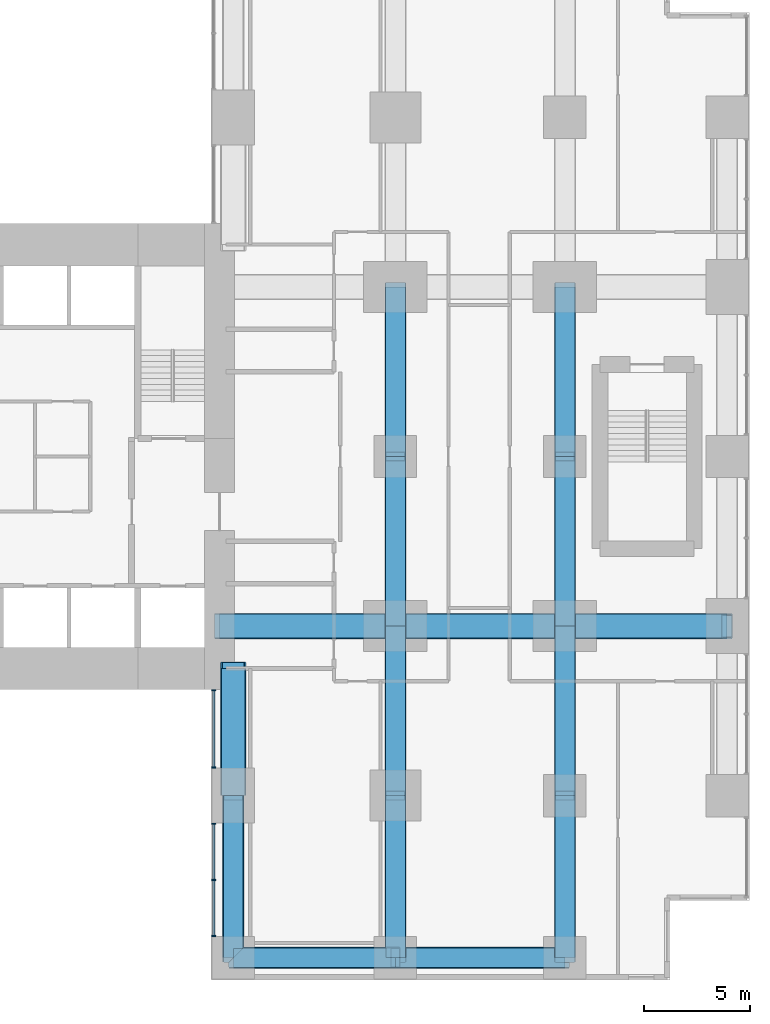
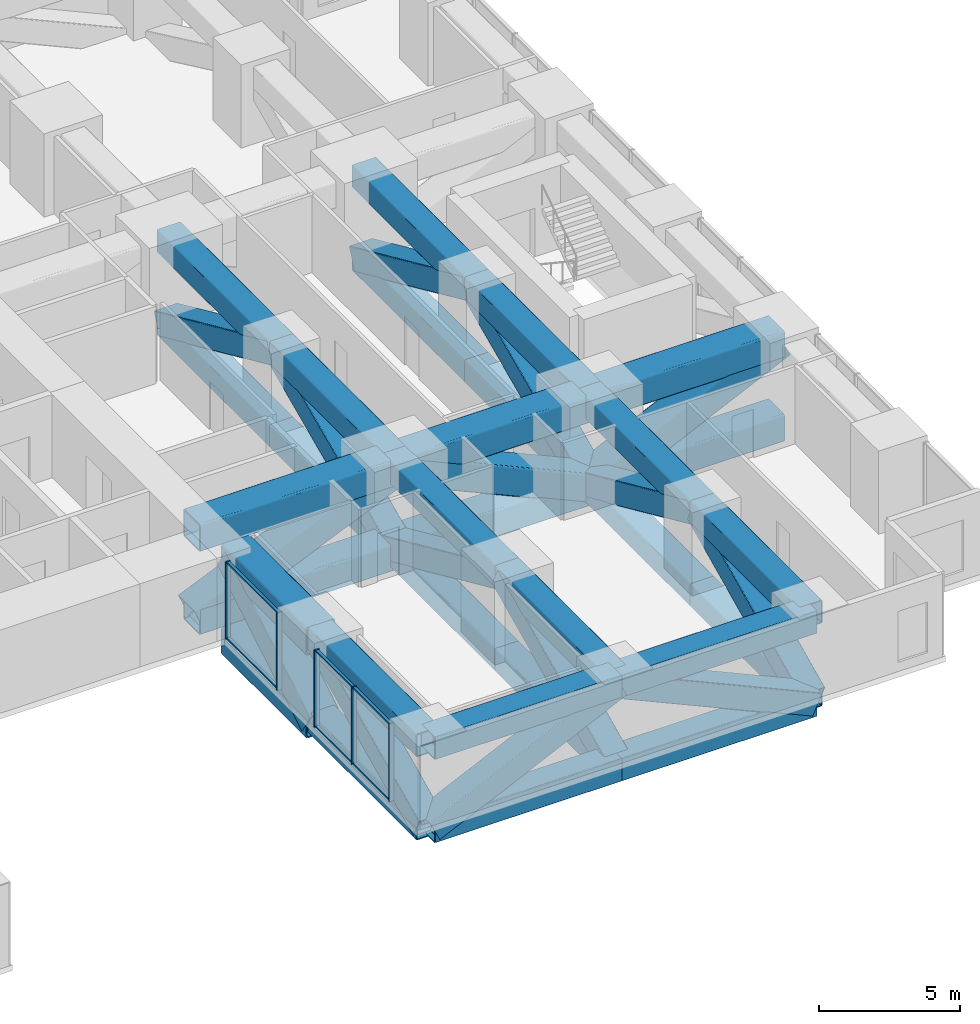
# One storey, part 4 of 15: 56 members, 2 elements without a shape of their own.
"""IFC4 building model written with IfcOpenShell, lengths in metres."""

from ifc_helpers import new_model, si_unit, direction, frame, origin, origin_2d, place, context, subcontext, project, spatial, rectangle, hollow_rectangle, extrude, material, layer, layer_set, material_profile, profile_set, type_object, element, aggregate, save


model = new_model("IFC4")

# Units and contexts
model_context = context("Model", 3, precision=1e-05, world=origin(), true_north=direction((0.0, 1.0)))
body_context = subcontext(model_context, "Body", "Model", "MODEL_VIEW")
ifc_project = project(units=[si_unit("LENGTHUNIT", "METRE"), si_unit("AREAUNIT", "SQUARE_METRE"), si_unit("VOLUMEUNIT", "CUBIC_METRE"), si_unit("PLANEANGLEUNIT", "RADIAN"), si_unit("MASSUNIT", "GRAM", prefix="KILO")], contexts=[model_context])

# Site, building, storey
site_placement = place(None, origin())
site = spatial("IfcSite", under=ifc_project, at=site_placement, CompositionType="ELEMENT")
building_placement = place(site_placement, origin())
building = spatial("IfcBuilding", under=site, at=building_placement, Name="Cleftline Residences", CompositionType="ELEMENT")
storey_placement = place(building_placement, frame((0.0, 0.0, 132.199951171875)))
storey = spatial("IfcBuildingStorey", under=building, at=storey_placement, Name="L34", CompositionType="ELEMENT", Elevation=132.199951171875)

# Members
ifc_material_1 = material(Name="Steel S355", Category="steel")
ifc_material_profile_1 = material_profile(ifc_material_1, hollow_rectangle(XDim=1.0, YDim=1.0, WallThickness=0.0400390625, InnerFilletRadius=0.0400390625, OuterFilletRadius=0.06005859375, at=origin_2d()))
ifc_profile_set_1 = profile_set([ifc_material_profile_1], Name="Steel S355")
member_type_1 = type_object("IfcMemberType", Name="BRACE BOX 1000X1000X40", PredefinedType="BRACE", material=ifc_profile_set_1)
for number, where, z_axis, x_axis, name in (
    (1, (42.35009765625, 0.35009765625, -0.75), (0.0, 0.904812157874, 0.425810942746), (0.0, -0.425810942746, 0.904812157874), "Belt truss diagonal"),
    (2, (50.0, 0.35009765625, -0.75), (0.0, 0.904812157874, 0.425810942746), (0.0, -0.425810942746, 0.904812157874), "Belt truss diagonal"),
):
    element("IfcMember", number, at=place(storey_placement, frame(where, z_axis=z_axis, x_axis=x_axis)), inside=storey, type_object=member_type_1, Name=name, PredefinedType="BRACE", context=body_context, shape_type="SweptSolid", body=[
        extrude(hollow_rectangle(XDim=1.0, YDim=1.0, WallThickness=0.0400390625, InnerFilletRadius=0.0400390625, OuterFilletRadius=0.06005859375, at=origin_2d()), origin(), (0.0, 0.0, 1.0), 8.45458984375),
    ])
for number, where, z_axis, x_axis, name in (
    (3, (50.0, 8.0, 2.85009765625), (0.0, 0.91191733938, -0.410373934525), (0.0, 0.410373934525, 0.91191733938), "Belt truss diagonal"),
    (4, (50.0, 16.0, -0.75), (0.0, 0.91191733938, 0.410373934525), (0.0, -0.410373934525, 0.91191733938), "Belt truss diagonal"),
    (5, (50.0, 24.0, 2.85009765625), (0.0, 0.91191733938, -0.410373934525), (0.0, 0.410373934525, 0.91191733938), "Belt truss diagonal"),
):
    element("IfcMember", number, at=place(storey_placement, frame(where, z_axis=z_axis, x_axis=x_axis)), inside=storey, type_object=member_type_1, Name=name, PredefinedType="BRACE", context=body_context, shape_type="SweptSolid", body=[
        extrude(hollow_rectangle(XDim=1.0, YDim=1.0, WallThickness=0.0400390625, InnerFilletRadius=0.0400390625, OuterFilletRadius=0.06005859375, at=origin_2d()), origin(), (0.0, 0.0, 1.0), 8.772705078125),
    ])
member_1_placement = place(storey_placement, frame((58.0, 0.35009765625, -0.75), z_axis=(0.0, 0.904812157874, 0.425810942746), x_axis=(0.0, -0.425810942746, 0.904812157874)))
element("IfcMember", 6, at=member_1_placement, inside=storey, type_object=member_type_1, Name="Belt truss diagonal", PredefinedType="BRACE", context=body_context, shape_type="SweptSolid", body=[
    extrude(hollow_rectangle(XDim=1.0, YDim=1.0, WallThickness=0.0400390625, InnerFilletRadius=0.0400390625, OuterFilletRadius=0.06005859375, at=origin_2d()), origin(), (0.0, 0.0, 1.0), 8.45458984375),
])
for number, where, z_axis, x_axis, name in (
    (7, (58.0, 8.0, 2.85009765625), (0.0, 0.91191733938, -0.410373934525), (0.0, 0.410373934525, 0.91191733938), "Belt truss diagonal"),
    (8, (58.0, 16.0, -0.75), (0.0, 0.91191733938, 0.410373934525), (0.0, -0.410373934525, 0.91191733938), "Belt truss diagonal"),
    (9, (58.0, 24.0, 2.85009765625), (0.0, 0.91191733938, -0.410373934525), (0.0, 0.410373934525, 0.91191733938), "Belt truss diagonal"),
):
    element("IfcMember", number, at=place(storey_placement, frame(where, z_axis=z_axis, x_axis=x_axis)), inside=storey, type_object=member_type_1, Name=name, PredefinedType="BRACE", context=body_context, shape_type="SweptSolid", body=[
        extrude(hollow_rectangle(XDim=1.0, YDim=1.0, WallThickness=0.0400390625, InnerFilletRadius=0.0400390625, OuterFilletRadius=0.06005859375, at=origin_2d()), origin(), (0.0, 0.0, 1.0), 8.772705078125),
    ])
member_2_placement = place(storey_placement, frame((42.35009765625, 0.35009765625, -0.75), z_axis=(0.904812157874, 0.0, 0.425810942746), x_axis=(-0.425810942746, 0.0, 0.904812157874)))
element("IfcMember", 10, at=member_2_placement, inside=storey, type_object=member_type_1, Name="Belt truss diagonal", PredefinedType="BRACE", context=body_context, shape_type="SweptSolid", body=[
    extrude(hollow_rectangle(XDim=1.0, YDim=1.0, WallThickness=0.0400390625, InnerFilletRadius=0.0400390625, OuterFilletRadius=0.06005859375, at=origin_2d()), origin(), (0.0, 0.0, 1.0), 8.45458984375),
])
member_3_placement = place(storey_placement, frame((50.0, 0.35009765625, 2.85009765625), z_axis=(0.91191733938, 0.0, -0.410373934525), x_axis=(0.410373934525, 0.0, 0.91191733938)))
element("IfcMember", 11, at=member_3_placement, inside=storey, type_object=member_type_1, Name="Belt truss diagonal", PredefinedType="BRACE", context=body_context, shape_type="SweptSolid", body=[
    extrude(hollow_rectangle(XDim=1.0, YDim=1.0, WallThickness=0.0400390625, InnerFilletRadius=0.0400390625, OuterFilletRadius=0.06005859375, at=origin_2d()), origin(), (0.0, 0.0, 1.0), 8.772705078125),
])
ifc_material_2 = material(Name="Steel S355", Category="steel")
ifc_material_profile_2 = material_profile(ifc_material_2, hollow_rectangle(XDim=1.199951171875, YDim=1.199951171875, WallThickness=0.06005859375, InnerFilletRadius=0.06005859375, OuterFilletRadius=0.090087890625, at=origin_2d()))
ifc_profile_set_2 = profile_set([ifc_material_profile_2], Name="Steel S355")
member_type_2 = type_object("IfcMemberType", Name="BRACE BOX 1200X1200X60", PredefinedType="BRACE", material=ifc_profile_set_2)
member_4_placement = place(storey_placement, frame((41.699951171875, 16.0, -0.849853515625), z_axis=(0.917427920438, 0.0, 0.397902011556), x_axis=(-0.397902011556, 0.0, 0.917427920438)))
element("IfcMember", 12, at=member_4_placement, inside=storey, type_object=member_type_2, Name="Outrigger truss diagonal", PredefinedType="BRACE", context=body_context, shape_type="SweptSolid", body=[
    extrude(hollow_rectangle(XDim=1.199951171875, YDim=1.199951171875, WallThickness=0.06005859375, InnerFilletRadius=0.06005859375, OuterFilletRadius=0.090087890625, at=origin_2d()), origin(), (0.0, 0.0, 1.0), 9.047119140625),
])
member_5_placement = place(storey_placement, frame((50.0, 16.0, 2.75), z_axis=(0.911927753762, 0.0, -0.410350791297), x_axis=(0.410350791297, 0.0, 0.911927753762)))
element("IfcMember", 13, at=member_5_placement, inside=storey, type_object=member_type_2, Name="Outrigger truss diagonal", PredefinedType="BRACE", context=body_context, shape_type="SweptSolid", body=[
    extrude(hollow_rectangle(XDim=1.199951171875, YDim=1.199951171875, WallThickness=0.06005859375, InnerFilletRadius=0.06005859375, OuterFilletRadius=0.090087890625, at=origin_2d()), origin(), (0.0, 0.0, 1.0), 8.772705078125),
])
member_6_placement = place(storey_placement, frame((58.0, 16.0, -0.849853515625), z_axis=(0.904823283159, 0.0, 0.425787301659), x_axis=(-0.425787301659, 0.0, 0.904823283159)))
element("IfcMember", 14, at=member_6_placement, inside=storey, type_object=member_type_2, Name="Outrigger truss diagonal", PredefinedType="BRACE", context=body_context, shape_type="SweptSolid", body=[
    extrude(hollow_rectangle(XDim=1.199951171875, YDim=1.199951171875, WallThickness=0.06005859375, InnerFilletRadius=0.06005859375, OuterFilletRadius=0.090087890625, at=origin_2d()), origin(), (0.0, 0.0, 1.0), 8.45458984375),
])
member_7_placement = place(storey_placement, frame((42.35009765625, 8.0, -0.849853515625), z_axis=(0.0, 0.857502161653, 0.51448036188), x_axis=(0.0, -0.51448036188, 0.857502161653)))
element("IfcMember", 15, at=member_7_placement, inside=storey, type_object=member_type_2, Name="Outrigger truss diagonal", PredefinedType="BRACE", context=body_context, shape_type="SweptSolid", body=[
    extrude(hollow_rectangle(XDim=1.199951171875, YDim=1.199951171875, WallThickness=0.06005859375, InnerFilletRadius=0.06005859375, OuterFilletRadius=0.090087890625, at=origin_2d()), origin(), (0.0, 0.0, 1.0), 6.9970703125),
])
ifc_material_3 = material(Name="Steel S355", Category="steel")
ifc_material_profile_3 = material_profile(ifc_material_3, hollow_rectangle(XDim=1.0, YDim=1.0, WallThickness=0.0400390625, InnerFilletRadius=0.0400390625, OuterFilletRadius=0.06005859375, at=origin_2d()))
ifc_profile_set_3 = profile_set([ifc_material_profile_3], Name="Steel S355")
member_type_3 = type_object("IfcMemberType", Name="CHORD BOX 1000X1000X40", PredefinedType="CHORD", material=ifc_profile_set_3)
for number, where, z_axis, x_axis, name in (
    (16, (42.35009765625, 0.35009765625, -0.75), (0.0, 1.0, 0.0), (-1.0, 0.0, 0.0), "Belt truss bottom chord"),
    (17, (42.35009765625, 0.35009765625, 2.85009765625), (0.0, 1.0, 0.0), (-1.0, 0.0, 0.0), "Belt truss top chord"),
    (18, (50.0, 0.35009765625, -0.75), (0.0, 1.0, 0.0), (-1.0, 0.0, 0.0), "Belt truss bottom chord"),
    (19, (50.0, 0.35009765625, 2.85009765625), (0.0, 1.0, 0.0), (-1.0, 0.0, 0.0), "Belt truss top chord"),
):
    element("IfcMember", number, at=place(storey_placement, frame(where, z_axis=z_axis, x_axis=x_axis)), inside=storey, type_object=member_type_3, Name=name, PredefinedType="CHORD", context=body_context, shape_type="SweptSolid", body=[
        extrude(hollow_rectangle(XDim=1.0, YDim=1.0, WallThickness=0.0400390625, InnerFilletRadius=0.0400390625, OuterFilletRadius=0.06005859375, at=origin_2d()), origin(), (0.0, 0.0, 1.0), 7.64990234375),
    ])
for number, where, z_axis, x_axis, name in (
    (20, (50.0, 8.0, -0.75), (0.0, 1.0, 0.0), (-1.0, 0.0, 0.0), "Belt truss bottom chord"),
    (21, (50.0, 8.0, 2.85009765625), (0.0, 1.0, 0.0), (-1.0, 0.0, 0.0), "Belt truss top chord"),
    (22, (50.0, 16.0, -0.75), (0.0, 1.0, 0.0), (-1.0, 0.0, 0.0), "Belt truss bottom chord"),
    (23, (50.0, 16.0, 2.85009765625), (0.0, 1.0, 0.0), (-1.0, 0.0, 0.0), "Belt truss top chord"),
    (24, (50.0, 24.0, -0.75), (0.0, 1.0, 0.0), (-1.0, 0.0, 0.0), "Belt truss bottom chord"),
    (25, (50.0, 24.0, 2.85009765625), (0.0, 1.0, 0.0), (-1.0, 0.0, 0.0), "Belt truss top chord"),
):
    element("IfcMember", number, at=place(storey_placement, frame(where, z_axis=z_axis, x_axis=x_axis)), inside=storey, type_object=member_type_3, Name=name, PredefinedType="CHORD", context=body_context, shape_type="SweptSolid", body=[
        extrude(hollow_rectangle(XDim=1.0, YDim=1.0, WallThickness=0.0400390625, InnerFilletRadius=0.0400390625, OuterFilletRadius=0.06005859375, at=origin_2d()), origin(), (0.0, 0.0, 1.0), 8.0),
    ])
for number, where, z_axis, x_axis, name in (
    (26, (58.0, 0.35009765625, -0.75), (0.0, 1.0, 0.0), (-1.0, 0.0, 0.0), "Belt truss bottom chord"),
    (27, (58.0, 0.35009765625, 2.85009765625), (0.0, 1.0, 0.0), (-1.0, 0.0, 0.0), "Belt truss top chord"),
):
    element("IfcMember", number, at=place(storey_placement, frame(where, z_axis=z_axis, x_axis=x_axis)), inside=storey, type_object=member_type_3, Name=name, PredefinedType="CHORD", context=body_context, shape_type="SweptSolid", body=[
        extrude(hollow_rectangle(XDim=1.0, YDim=1.0, WallThickness=0.0400390625, InnerFilletRadius=0.0400390625, OuterFilletRadius=0.06005859375, at=origin_2d()), origin(), (0.0, 0.0, 1.0), 7.64990234375),
    ])
for number, where, z_axis, x_axis, name in (
    (28, (58.0, 8.0, -0.75), (0.0, 1.0, 0.0), (-1.0, 0.0, 0.0), "Belt truss bottom chord"),
    (29, (58.0, 8.0, 2.85009765625), (0.0, 1.0, 0.0), (-1.0, 0.0, 0.0), "Belt truss top chord"),
    (30, (58.0, 16.0, -0.75), (0.0, 1.0, 0.0), (-1.0, 0.0, 0.0), "Belt truss bottom chord"),
    (31, (58.0, 16.0, 2.85009765625), (0.0, 1.0, 0.0), (-1.0, 0.0, 0.0), "Belt truss top chord"),
    (32, (58.0, 24.0, -0.75), (0.0, 1.0, 0.0), (-1.0, 0.0, 0.0), "Belt truss bottom chord"),
    (33, (58.0, 24.0, 2.85009765625), (0.0, 1.0, 0.0), (-1.0, 0.0, 0.0), "Belt truss top chord"),
):
    element("IfcMember", number, at=place(storey_placement, frame(where, z_axis=z_axis, x_axis=x_axis)), inside=storey, type_object=member_type_3, Name=name, PredefinedType="CHORD", context=body_context, shape_type="SweptSolid", body=[
        extrude(hollow_rectangle(XDim=1.0, YDim=1.0, WallThickness=0.0400390625, InnerFilletRadius=0.0400390625, OuterFilletRadius=0.06005859375, at=origin_2d()), origin(), (0.0, 0.0, 1.0), 8.0),
    ])
for number, where, z_axis, x_axis, name in (
    (34, (42.35009765625, 0.35009765625, -0.75), (1.0, 0.0, 0.0), (0.0, 1.0, 0.0), "Belt truss bottom chord"),
    (35, (42.35009765625, 0.35009765625, 2.85009765625), (1.0, 0.0, 0.0), (0.0, 1.0, 0.0), "Belt truss top chord"),
):
    element("IfcMember", number, at=place(storey_placement, frame(where, z_axis=z_axis, x_axis=x_axis)), inside=storey, type_object=member_type_3, Name=name, PredefinedType="CHORD", context=body_context, shape_type="SweptSolid", body=[
        extrude(hollow_rectangle(XDim=1.0, YDim=1.0, WallThickness=0.0400390625, InnerFilletRadius=0.0400390625, OuterFilletRadius=0.06005859375, at=origin_2d()), origin(), (0.0, 0.0, 1.0), 7.64990234375),
    ])
for number, where, z_axis, x_axis, name in (
    (36, (50.0, 0.35009765625, -0.75), (1.0, 0.0, 0.0), (0.0, 1.0, 0.0), "Belt truss bottom chord"),
    (37, (50.0, 0.35009765625, 2.85009765625), (1.0, 0.0, 0.0), (0.0, 1.0, 0.0), "Belt truss top chord"),
):
    element("IfcMember", number, at=place(storey_placement, frame(where, z_axis=z_axis, x_axis=x_axis)), inside=storey, type_object=member_type_3, Name=name, PredefinedType="CHORD", context=body_context, shape_type="SweptSolid", body=[
        extrude(hollow_rectangle(XDim=1.0, YDim=1.0, WallThickness=0.0400390625, InnerFilletRadius=0.0400390625, OuterFilletRadius=0.06005859375, at=origin_2d()), origin(), (0.0, 0.0, 1.0), 8.0),
    ])
ifc_material_4 = material(Name="Steel S355", Category="steel")
ifc_material_profile_4 = material_profile(ifc_material_4, hollow_rectangle(XDim=1.199951171875, YDim=1.199951171875, WallThickness=0.06005859375, InnerFilletRadius=0.06005859375, OuterFilletRadius=0.090087890625, at=origin_2d()))
ifc_profile_set_4 = profile_set([ifc_material_profile_4], Name="Steel S355")
member_type_4 = type_object("IfcMemberType", Name="CHORD BOX 1200X1200X60", PredefinedType="CHORD", material=ifc_profile_set_4)
for number, where, z_axis, x_axis, name in (
    (38, (41.699951171875, 16.0, -0.849853515625), (1.0, 0.0, 0.0), (0.0, 1.0, 0.0), "Outrigger truss bottom chord"),
    (39, (41.699951171875, 16.0, 2.75), (1.0, 0.0, 0.0), (0.0, 1.0, 0.0), "Outrigger truss top chord"),
):
    element("IfcMember", number, at=place(storey_placement, frame(where, z_axis=z_axis, x_axis=x_axis)), inside=storey, type_object=member_type_4, Name=name, PredefinedType="CHORD", context=body_context, shape_type="SweptSolid", body=[
        extrude(hollow_rectangle(XDim=1.199951171875, YDim=1.199951171875, WallThickness=0.06005859375, InnerFilletRadius=0.06005859375, OuterFilletRadius=0.090087890625, at=origin_2d()), origin(), (0.0, 0.0, 1.0), 8.300048828125),
    ])
for number, where, z_axis, x_axis, name in (
    (40, (50.0, 16.0, -0.849853515625), (1.0, 0.0, 0.0), (0.0, 1.0, 0.0), "Outrigger truss bottom chord"),
    (41, (50.0, 16.0, 2.75), (1.0, 0.0, 0.0), (0.0, 1.0, 0.0), "Outrigger truss top chord"),
):
    element("IfcMember", number, at=place(storey_placement, frame(where, z_axis=z_axis, x_axis=x_axis)), inside=storey, type_object=member_type_4, Name=name, PredefinedType="CHORD", context=body_context, shape_type="SweptSolid", body=[
        extrude(hollow_rectangle(XDim=1.199951171875, YDim=1.199951171875, WallThickness=0.06005859375, InnerFilletRadius=0.06005859375, OuterFilletRadius=0.090087890625, at=origin_2d()), origin(), (0.0, 0.0, 1.0), 8.0),
    ])
for number, where, z_axis, x_axis, name in (
    (42, (58.0, 16.0, -0.849853515625), (1.0, 0.0, 0.0), (0.0, 1.0, 0.0), "Outrigger truss bottom chord"),
    (43, (58.0, 16.0, 2.75), (1.0, 0.0, 0.0), (0.0, 1.0, 0.0), "Outrigger truss top chord"),
):
    element("IfcMember", number, at=place(storey_placement, frame(where, z_axis=z_axis, x_axis=x_axis)), inside=storey, type_object=member_type_4, Name=name, PredefinedType="CHORD", context=body_context, shape_type="SweptSolid", body=[
        extrude(hollow_rectangle(XDim=1.199951171875, YDim=1.199951171875, WallThickness=0.06005859375, InnerFilletRadius=0.06005859375, OuterFilletRadius=0.090087890625, at=origin_2d()), origin(), (0.0, 0.0, 1.0), 7.64990234375),
    ])
for number, where, z_axis, x_axis, name in (
    (44, (42.35009765625, 8.0, -0.849853515625), (0.0, 1.0, 0.0), (-1.0, 0.0, 0.0), "Outrigger truss bottom chord"),
    (45, (42.35009765625, 8.0, 2.75), (0.0, 1.0, 0.0), (-1.0, 0.0, 0.0), "Outrigger truss top chord"),
):
    element("IfcMember", number, at=place(storey_placement, frame(where, z_axis=z_axis, x_axis=x_axis)), inside=storey, type_object=member_type_4, Name=name, PredefinedType="CHORD", context=body_context, shape_type="SweptSolid", body=[
        extrude(hollow_rectangle(XDim=1.199951171875, YDim=1.199951171875, WallThickness=0.06005859375, InnerFilletRadius=0.06005859375, OuterFilletRadius=0.090087890625, at=origin_2d()), origin(), (0.0, 0.0, 1.0), 6.0),
    ])

# Curtain wall, members
ifc_material_5 = material(Name="Aluminium framed curtain wall", Category="aluminium")
ifc_layer = layer(ifc_material_5, 0.199951171875)
ifc_layer_set = layer_set([ifc_layer], Name="CW1 CLEFT GLAZING")
curtain_wall_type = type_object("IfcCurtainWallType", Name="CW1 CLEFT GLAZING", PredefinedType="NOTDEFINED", material=ifc_layer_set)
curtain_wall_1_placement = place(storey_placement, origin())
curtain_wall_1 = element("IfcCurtainWall", 46, at=curtain_wall_1_placement, inside=storey, type_object=curtain_wall_type, Name="Curtain wall CW1", PredefinedType="NOTDEFINED")
ifc_material_6 = material(Name="Aluminium mullion", Category="aluminium")
ifc_material_profile_5 = material_profile(ifc_material_6, rectangle(XDim=0.199951171875, YDim=0.06005859375, at=origin_2d()))
ifc_profile_set_5 = profile_set([ifc_material_profile_5], Name="Aluminium mullion")
member_type_5 = type_object("IfcMemberType", Name="CW1 MULLION", PredefinedType="MULLION", material=ifc_profile_set_5)
member_8_placement = place(storey_placement, frame((41.425048828125, 12.969970703125, 0.0), z_axis=(0.0, 0.0, 1.0), x_axis=(1.0, 0.0, 0.0)))
member_8 = element("IfcMember", 47, at=member_8_placement, type_object=member_type_5, Name="CW1 mullion 1", PredefinedType="MULLION", context=body_context, shape_type="SweptSolid", body=[
    extrude(rectangle(XDim=0.199951171875, YDim=0.06005859375, at=origin_2d()), origin(), (0.0, 0.0, 1.0), 3.35009765625),
])
member_9_placement = place(storey_placement, frame((41.425048828125, 9.330078125, 0.0), z_axis=(0.0, 0.0, 1.0), x_axis=(1.0, 0.0, 0.0)))
member_9 = element("IfcMember", 48, at=member_9_placement, type_object=member_type_5, Name="CW1 mullion 2", PredefinedType="MULLION", context=body_context, shape_type="SweptSolid", body=[
    extrude(rectangle(XDim=0.199951171875, YDim=0.06005859375, at=origin_2d()), origin(), (0.0, 0.0, 1.0), 3.35009765625),
])

curtain_wall_2_placement = place(storey_placement, origin())
curtain_wall_2 = element("IfcCurtainWall", 49, at=curtain_wall_2_placement, inside=storey, type_object=curtain_wall_type, Name="Curtain wall CW1", PredefinedType="NOTDEFINED")
member_10_placement = place(storey_placement, frame((41.425048828125, 6.669921875, 0.0), z_axis=(0.0, 0.0, 1.0), x_axis=(1.0, 0.0, 0.0)))
member_10 = element("IfcMember", 50, at=member_10_placement, type_object=member_type_5, Name="CW1 mullion 1", PredefinedType="MULLION", context=body_context, shape_type="SweptSolid", body=[
    extrude(rectangle(XDim=0.199951171875, YDim=0.06005859375, at=origin_2d()), origin(), (0.0, 0.0, 1.0), 3.35009765625),
])
member_11_placement = place(storey_placement, frame((41.425048828125, 4.02490234375, 0.0), z_axis=(0.0, 0.0, 1.0), x_axis=(1.0, 0.0, 0.0)))
member_11 = element("IfcMember", 51, at=member_11_placement, type_object=member_type_5, Name="CW1 mullion 2", PredefinedType="MULLION", context=body_context, shape_type="SweptSolid", body=[
    extrude(rectangle(XDim=0.199951171875, YDim=0.06005859375, at=origin_2d()), origin(), (0.0, 0.0, 1.0), 3.35009765625),
])
member_12_placement = place(storey_placement, frame((41.425048828125, 1.3798828125, 0.0), z_axis=(0.0, 0.0, 1.0), x_axis=(1.0, 0.0, 0.0)))
member_12 = element("IfcMember", 52, at=member_12_placement, type_object=member_type_5, Name="CW1 mullion 3", PredefinedType="MULLION", context=body_context, shape_type="SweptSolid", body=[
    extrude(rectangle(XDim=0.199951171875, YDim=0.06005859375, at=origin_2d()), origin(), (0.0, 0.0, 1.0), 3.35009765625),
])

# Member
ifc_material_7 = material(Name="Aluminium transom", Category="aluminium")
ifc_material_profile_6 = material_profile(ifc_material_7, rectangle(XDim=0.1201171875, YDim=0.06005859375, at=origin_2d()))
ifc_profile_set_6 = profile_set([ifc_material_profile_6], Name="Aluminium transom")
member_type_6 = type_object("IfcMemberType", Name="CW1 TRANSOM", PredefinedType="USERDEFINED", material=ifc_profile_set_6)
member_13_placement = place(storey_placement, frame((41.425048828125, 12.93994140625, 0.030029296875), z_axis=(0.0, -1.0, 0.0), x_axis=(1.0, 0.0, 0.0)))
member_13 = element("IfcMember", 53, at=member_13_placement, type_object=member_type_6, Name="CW1 transom 1.1", ObjectType="TRANSOM", PredefinedType="USERDEFINED", context=body_context, shape_type="SweptSolid", body=[
    extrude(rectangle(XDim=0.1201171875, YDim=0.06005859375, at=origin_2d()), origin(), (0.0, 0.0, 1.0), 3.579833984375),
])

member_14_placement = place(storey_placement, frame((41.425048828125, 12.93994140625, 3.320068359375), z_axis=(0.0, -1.0, 0.0), x_axis=(1.0, 0.0, 0.0)))
member_14 = element("IfcMember", 54, at=member_14_placement, type_object=member_type_6, Name="CW1 transom 1.2", ObjectType="TRANSOM", PredefinedType="USERDEFINED", context=body_context, shape_type="SweptSolid", body=[
    extrude(rectangle(XDim=0.1201171875, YDim=0.06005859375, at=origin_2d()), origin(), (0.0, 0.0, 1.0), 3.579833984375),
])

aggregate(curtain_wall_1, [member_8, member_9, member_13, member_14])

member_15_placement = place(storey_placement, frame((41.425048828125, 6.639892578125, 0.030029296875), z_axis=(0.0, -1.0, 0.0), x_axis=(1.0, 0.0, 0.0)))
member_15 = element("IfcMember", 55, at=member_15_placement, type_object=member_type_6, Name="CW1 transom 1.1", ObjectType="TRANSOM", PredefinedType="USERDEFINED", context=body_context, shape_type="SweptSolid", body=[
    extrude(rectangle(XDim=0.1201171875, YDim=0.06005859375, at=origin_2d()), origin(), (0.0, 0.0, 1.0), 2.5849609375),
])

member_16_placement = place(storey_placement, frame((41.425048828125, 6.639892578125, 3.320068359375), z_axis=(0.0, -1.0, 0.0), x_axis=(1.0, 0.0, 0.0)))
member_16 = element("IfcMember", 56, at=member_16_placement, type_object=member_type_6, Name="CW1 transom 1.2", ObjectType="TRANSOM", PredefinedType="USERDEFINED", context=body_context, shape_type="SweptSolid", body=[
    extrude(rectangle(XDim=0.1201171875, YDim=0.06005859375, at=origin_2d()), origin(), (0.0, 0.0, 1.0), 2.5849609375),
])

member_17_placement = place(storey_placement, frame((41.425048828125, 3.9951171875, 0.030029296875), z_axis=(0.0, -1.0, 0.0), x_axis=(1.0, 0.0, 0.0)))
member_17 = element("IfcMember", 57, at=member_17_placement, type_object=member_type_6, Name="CW1 transom 2.1", ObjectType="TRANSOM", PredefinedType="USERDEFINED", context=body_context, shape_type="SweptSolid", body=[
    extrude(rectangle(XDim=0.1201171875, YDim=0.06005859375, at=origin_2d()), origin(), (0.0, 0.0, 1.0), 2.585205078125),
])

member_18_placement = place(storey_placement, frame((41.425048828125, 3.9951171875, 3.320068359375), z_axis=(0.0, -1.0, 0.0), x_axis=(1.0, 0.0, 0.0)))
member_18 = element("IfcMember", 58, at=member_18_placement, type_object=member_type_6, Name="CW1 transom 2.2", ObjectType="TRANSOM", PredefinedType="USERDEFINED", context=body_context, shape_type="SweptSolid", body=[
    extrude(rectangle(XDim=0.1201171875, YDim=0.06005859375, at=origin_2d()), origin(), (0.0, 0.0, 1.0), 2.585205078125),
])

aggregate(curtain_wall_2, [member_10, member_11, member_12, member_15, member_16, member_17, member_18])

save(model, "model.ifc")
